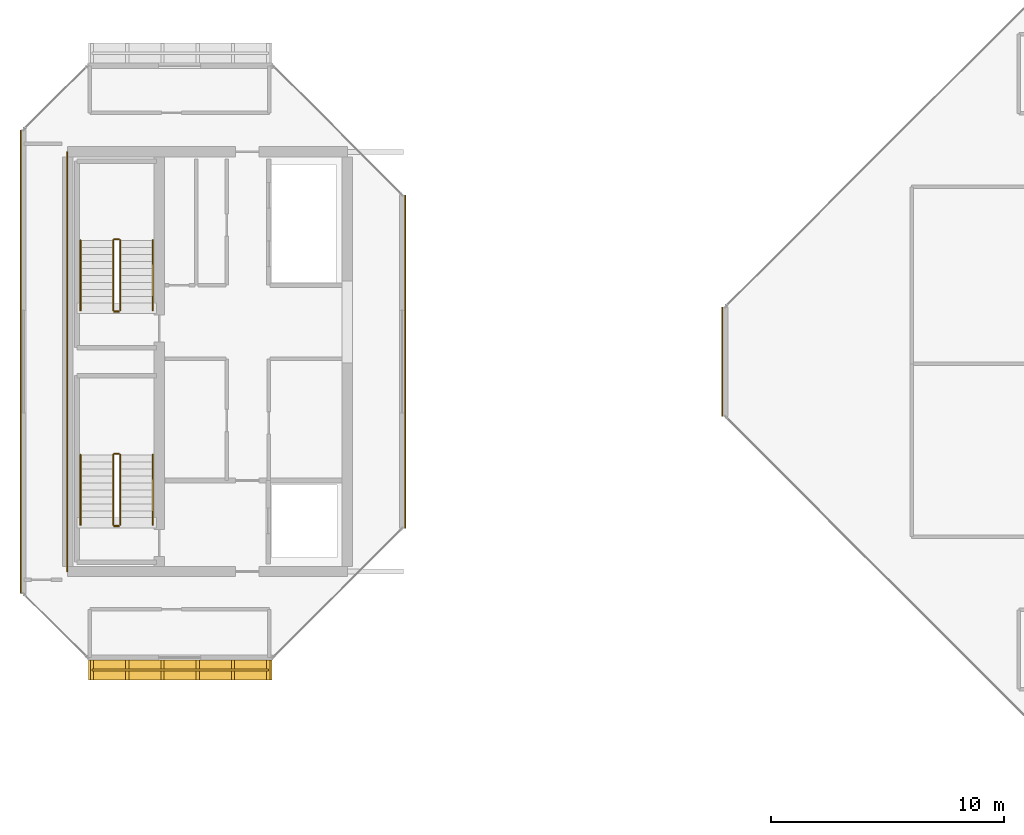
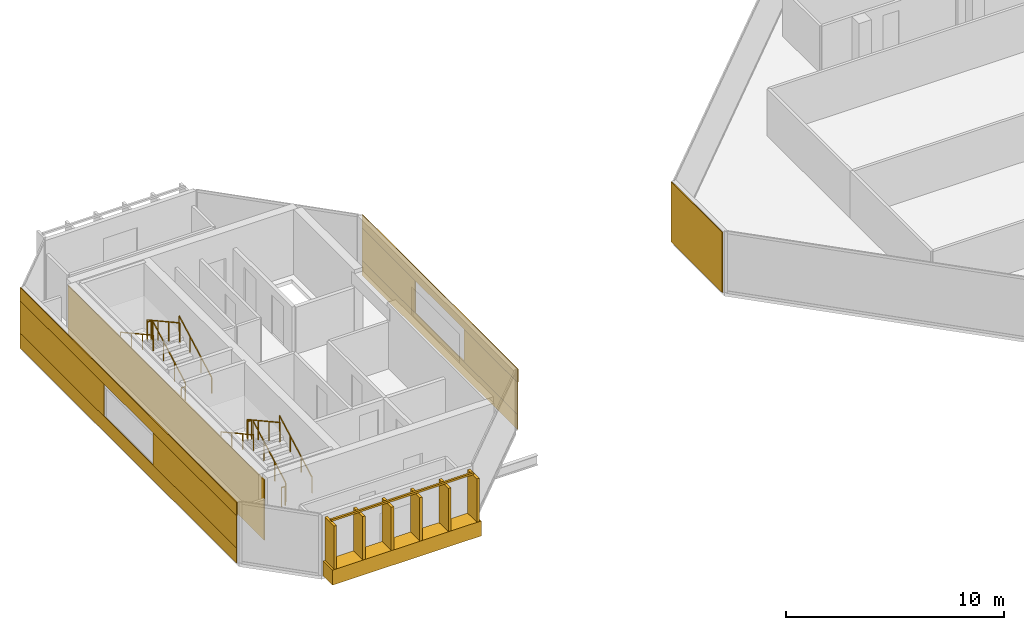
# One storey, part 26 of 28: 13 railings, 11 coverings.
"""IFC4 building model written with IfcOpenShell, lengths in metres."""

from ifc_helpers import new_model, si_unit, direction, frame, origin, origin_2d, place, context, subcontext, project, spatial, rectangle, extrude, material, layer, layer_set, type_object, element, save


model = new_model("IFC4")

# Units and contexts
model_context = context("Model", 3, precision=1e-05, world=origin(), true_north=direction((0.0, 1.0)))
body_context = subcontext(model_context, "Body", "Model", "MODEL_VIEW")
ifc_project = project(units=[si_unit("LENGTHUNIT", "METRE"), si_unit("AREAUNIT", "SQUARE_METRE"), si_unit("VOLUMEUNIT", "CUBIC_METRE"), si_unit("PLANEANGLEUNIT", "RADIAN"), si_unit("MASSUNIT", "GRAM", prefix="KILO")], contexts=[model_context])

# Site, building, storey
site_placement = place(None, origin())
site = spatial("IfcSite", under=ifc_project, at=site_placement, CompositionType="ELEMENT")
building_placement = place(site_placement, origin())
building = spatial("IfcBuilding", under=site, at=building_placement, Name="Tanjung Sevakor Pilgrim Tower", CompositionType="ELEMENT")
storey_placement = place(building_placement, frame((0.0, 0.0, 242.550048828125)))
storey = spatial("IfcBuildingStorey", under=building, at=storey_placement, Name="L68", CompositionType="ELEMENT", Elevation=242.550048828125)

# Coverings
ifc_material_1 = material(Name="Reconstructed Limestone Cladding", Category="masonry")
ifc_layer = layer(ifc_material_1, 0.044921875)
ifc_layer_set = layer_set([ifc_layer], Name="COV-CLAD-LIMESTONE")
covering_type = type_object("IfcCoveringType", Name="COV-CLAD-LIMESTONE", PredefinedType="CLADDING", material=ifc_layer_set)
covering_1_placement = place(storey_placement, frame((28.824951171875, 20.3701171875, 0.009765625), z_axis=(0.0, 0.0, 1.0), x_axis=(1.0, 0.0, 0.0)))
element("IfcCovering", 1, at=covering_1_placement, inside=storey, type_object=covering_type, Name="L68 Warm Limestone Sill Spandrel EW-L68-WEST-1-1", PredefinedType="CLADDING", context=body_context, shape_type="SweptSolid", body=[
    extrude(rectangle(XDim=7.87890625, YDim=0.860107421875, at=origin_2d()), origin(), (0.0, 0.0, 1.0), 0.840087890625),
])
covering_2_placement = place(storey_placement, frame((38.472412109375, 33.60009765625, 0.009765625), z_axis=(0.0, 0.0, 1.0), x_axis=(0.0, 1.0, 0.0)))
element("IfcCovering", 2, at=covering_2_placement, inside=storey, type_object=covering_type, Name="L68 Warm Limestone Sill Spandrel EW-L68-WEST-3-1", PredefinedType="CLADDING", context=body_context, shape_type="SweptSolid", body=[
    extrude(rectangle(XDim=14.228759765625, YDim=0.044921875, at=origin_2d()), origin(), (0.0, 0.0, 1.0), 0.840087890625),
])
covering_3_placement = place(storey_placement, frame((38.472412109375, 33.60009765625, 2.66015625), z_axis=(0.0, 0.0, 1.0), x_axis=(0.0, 1.0, 0.0)))
element("IfcCovering", 3, at=covering_3_placement, inside=storey, type_object=covering_type, Name="L68 Warm Limestone Cornice Spandrel EW-L68-WEST-3", PredefinedType="CLADDING", context=body_context, shape_type="SweptSolid", body=[
    extrude(rectangle(XDim=14.268798828125, YDim=0.044921875, at=origin_2d()), origin(), (0.0, 0.0, 1.0), 0.739990234375),
])
for number, where, z_axis, x_axis, name in (
    (4, (38.472412109375, 28.917724609375, 0.849853515625), (0.0, 0.0, 1.0), (0.0, 1.0, 0.0), "L68 Warm Limestone Pier Panel EW-L68-WEST-3-1"),
    (5, (38.472412109375, 38.2822265625, 0.849853515625), (0.0, 0.0, 1.0), (0.0, 1.0, 0.0), "L68 Warm Limestone Pier Panel EW-L68-WEST-3-2"),
):
    element("IfcCovering", number, at=place(storey_placement, frame(where, z_axis=z_axis, x_axis=x_axis)), inside=storey, type_object=covering_type, Name=name, PredefinedType="CLADDING", context=body_context, shape_type="SweptSolid", body=[
        extrude(rectangle(XDim=4.864501953125, YDim=0.044921875, at=origin_2d()), origin(), (0.0, 0.0, 1.0), 1.81005859375),
    ])
covering_4_placement = place(storey_placement, frame((21.9775390625, 33.60009765625, 0.009765625), z_axis=(0.0, 0.0, 1.0), x_axis=(0.0, -1.0, 0.0)))
element("IfcCovering", 6, at=covering_4_placement, inside=storey, type_object=covering_type, Name="L68 Warm Limestone Sill Spandrel EW-L68-WEST-7-1", PredefinedType="CLADDING", context=body_context, shape_type="SweptSolid", body=[
    extrude(rectangle(XDim=19.828857421875, YDim=0.044921875, at=origin_2d()), origin(), (0.0, 0.0, 1.0), 0.840087890625),
])
covering_5_placement = place(storey_placement, frame((21.9775390625, 33.60009765625, 2.66015625), z_axis=(0.0, 0.0, 1.0), x_axis=(0.0, -1.0, 0.0)))
element("IfcCovering", 7, at=covering_5_placement, inside=storey, type_object=covering_type, Name="L68 Warm Limestone Cornice Spandrel EW-L68-WEST-7", PredefinedType="CLADDING", context=body_context, shape_type="SweptSolid", body=[
    extrude(rectangle(XDim=19.868896484375, YDim=0.044921875, at=origin_2d()), origin(), (0.0, 0.0, 1.0), 0.739990234375),
])
for number, where, z_axis, x_axis, name in (
    (8, (21.9775390625, 39.68212890625, 0.849853515625), (0.0, 0.0, 1.0), (0.0, -1.0, 0.0), "L68 Warm Limestone Pier Panel EW-L68-WEST-7-1"),
    (9, (21.9775390625, 27.517822265625, 0.849853515625), (0.0, 0.0, 1.0), (0.0, -1.0, 0.0), "L68 Warm Limestone Pier Panel EW-L68-WEST-7-2"),
):
    element("IfcCovering", number, at=place(storey_placement, frame(where, z_axis=z_axis, x_axis=x_axis)), inside=storey, type_object=covering_type, Name=name, PredefinedType="CLADDING", context=body_context, shape_type="SweptSolid", body=[
        extrude(rectangle(XDim=7.664306640625, YDim=0.044921875, at=origin_2d()), origin(), (0.0, 0.0, 1.0), 1.81005859375),
    ])
covering_6_placement = place(storey_placement, frame((52.077392578125, 33.60009765625, 0.019775390625), z_axis=(0.0, 0.0, 1.0), x_axis=(0.0, -1.0, 0.0)))
element("IfcCovering", 10, at=covering_6_placement, inside=storey, type_object=covering_type, Name="L68 Warm Limestone Wall Cladding EW-L68-EAST-7", PredefinedType="CLADDING", context=body_context, shape_type="SweptSolid", body=[
    extrude(rectangle(XDim=4.668701171875, YDim=0.044921875, at=origin_2d()), origin(), (0.0, 0.0, 1.0), 3.3701171875),
])
covering_7_placement = place(storey_placement, frame((23.9775390625, 33.60009765625, 0.019775390625), z_axis=(0.0, 0.0, 1.0), x_axis=(1.0, 0.0, 0.0)))
element("IfcCovering", 11, at=covering_7_placement, inside=storey, type_object=covering_type, Name="L68 Expressed Core Warm Limestone Cladding W", PredefinedType="CLADDING", context=body_context, shape_type="SweptSolid", body=[
    extrude(rectangle(XDim=0.044921875, YDim=18.0, at=origin_2d()), origin(), (0.0, 0.0, 1.0), 3.3701171875),
])

# Railings
ifc_material_2 = material(Name="Anodised Bronze Aluminium 6063-T6", Category="aluminium")
railing_type_1 = type_object("IfcRailingType", Name="RL-FIN-SCREEN", PredefinedType="BALUSTRADE", material=ifc_material_2)
railing_1_placement = place(storey_placement, frame((25.045654296875, 20.375, 0.83984375)))
element("IfcRailing", 12, at=railing_1_placement, inside=storey, type_object=railing_type_1, Name="L68 Vertical Bronze-Gold Solar Fin Screen FNSCR-EW-L68-WEST-1-1", PredefinedType="BALUSTRADE", context=body_context, shape_type="SweptSolid", body=[
    extrude(rectangle(XDim=0.105, YDim=0.105), frame((0.0, 0.0, 2.487548828125), z_axis=(1.0, 0.0, 0.0), x_axis=(0.0, 1.0, 0.0)), (0.0, 0.0, 1.0), 7.558837890625),
    extrude(rectangle(XDim=0.14, YDim=0.85), origin(), (0.0, 0.0, 1.0), 2.43505859375),
    extrude(rectangle(XDim=0.14, YDim=0.85), frame((1.51171875, 0.0, 0.0)), (0.0, 0.0, 1.0), 2.43505859375),
    extrude(rectangle(XDim=0.14, YDim=0.85), frame((3.0234375, 0.0, 0.0)), (0.0, 0.0, 1.0), 2.43505859375),
    extrude(rectangle(XDim=0.14, YDim=0.85), frame((4.535400390625, 0.0, 0.0)), (0.0, 0.0, 1.0), 2.43505859375),
    extrude(rectangle(XDim=0.14, YDim=0.85), frame((6.047119140625, 0.0, 0.0)), (0.0, 0.0, 1.0), 2.43505859375),
    extrude(rectangle(XDim=0.14, YDim=0.85), frame((7.558837890625, 0.0, 0.0)), (0.0, 0.0, 1.0), 2.43505859375),
])
ifc_material_3 = material(Name="Steel S355J2", Category="steel")
railing_type_2 = type_object("IfcRailingType", Name="RL-STAIR-GUARD", PredefinedType="GUARDRAIL", material=ifc_material_3)
railing_2_placement = place(storey_placement, frame((26.25, 26.60009765625, 0.1650390625)))
element("IfcRailing", 13, at=railing_2_placement, inside=storey, type_object=railing_type_2, Name="L68 TS-W1 stair guard 1", PredefinedType="GUARDRAIL", context=body_context, shape_type="SweptSolid", body=[
    extrude(rectangle(XDim=0.0479, YDim=0.0479), frame((0.0, 0.0, 1.076171875), z_axis=(0.0, 0.876227952683, 0.48189685093), x_axis=(-1.0, 0.0, 0.0)), (0.0, 0.0, 1.0), 3.423828125),
    extrude(rectangle(XDim=0.042, YDim=0.042), origin(), (0.0, 0.0, 1.0), 1.052001953125),
    extrude(rectangle(XDim=0.042, YDim=0.042), frame((0.0, 1.0, 0.550048828125)), (0.0, 0.0, 1.0), 1.052001953125),
    extrude(rectangle(XDim=0.042, YDim=0.042), frame((0.0, 2.0, 1.099853515625)), (0.0, 0.0, 1.0), 1.052001953125),
    extrude(rectangle(XDim=0.042, YDim=0.042), frame((0.0, 3.0, 1.64990234375)), (0.0, 0.0, 1.0), 1.052001953125),
])
railing_3_placement = place(storey_placement, frame((26.199951171875, 29.64990234375, 1.81494140625)))
element("IfcRailing", 14, at=railing_3_placement, inside=storey, type_object=railing_type_2, Name="L68 TS-W1 stair guard 2", PredefinedType="GUARDRAIL", context=body_context, shape_type="SweptSolid", body=[
    extrude(rectangle(XDim=0.0479, YDim=0.0479), frame((0.0, 0.0, 1.076171875), z_axis=(-1.0, 0.0, 0.0), x_axis=(0.0, -1.0, 0.0)), (0.0, 0.0, 1.0), 0.199951171875),
    extrude(rectangle(XDim=0.042, YDim=0.042), origin(), (0.0, 0.0, 1.0), 1.052001953125),
    extrude(rectangle(XDim=0.042, YDim=0.042), frame((-0.199951171875, 0.0, 0.0)), (0.0, 0.0, 1.0), 1.052001953125),
])
railing_4_placement = place(storey_placement, frame((25.949951171875, 29.60009765625, 1.97998046875)))
element("IfcRailing", 15, at=railing_4_placement, inside=storey, type_object=railing_type_2, Name="L68 TS-W1 stair guard 3", PredefinedType="GUARDRAIL", context=body_context, shape_type="SweptSolid", body=[
    extrude(rectangle(XDim=0.0479, YDim=0.0479), frame((0.0, 0.0, 1.076171875), z_axis=(0.0, -0.876227952683, 0.48189685093), x_axis=(1.0, 0.0, 0.0)), (0.0, 0.0, 1.0), 3.423828125),
    extrude(rectangle(XDim=0.042, YDim=0.042), origin(), (0.0, 0.0, 1.0), 1.052001953125),
    extrude(rectangle(XDim=0.042, YDim=0.042), frame((0.0, -1.0, 0.550048828125)), (0.0, 0.0, 1.0), 1.052001953125),
    extrude(rectangle(XDim=0.042, YDim=0.042), frame((0.0, -2.0, 1.099853515625)), (0.0, 0.0, 1.0), 1.052001953125),
    extrude(rectangle(XDim=0.042, YDim=0.042), frame((0.0, -3.0, 1.64990234375)), (0.0, 0.0, 1.0), 1.052001953125),
])
railing_5_placement = place(storey_placement, frame((26.199951171875, 26.550048828125, 0.0)))
element("IfcRailing", 16, at=railing_5_placement, inside=storey, type_object=railing_type_2, Name="L68 TS-W1 stair guard 4", PredefinedType="GUARDRAIL", context=body_context, shape_type="SweptSolid", body=[
    extrude(rectangle(XDim=0.0479, YDim=0.0479), frame((0.0, 0.0, 1.076171875), z_axis=(-1.0, 0.0, 0.0), x_axis=(0.0, -1.0, 0.0)), (0.0, 0.0, 1.0), 0.199951171875),
    extrude(rectangle(XDim=0.042, YDim=0.042), origin(), (0.0, 0.0, 1.0), 1.052001953125),
    extrude(rectangle(XDim=0.042, YDim=0.042), frame((-0.199951171875, 0.0, 0.0)), (0.0, 0.0, 1.0), 1.052001953125),
])
railing_6_placement = place(storey_placement, frame((26.25, 35.800048828125, 0.1650390625)))
element("IfcRailing", 17, at=railing_6_placement, inside=storey, type_object=railing_type_2, Name="L68 TS-W2 stair guard 1", PredefinedType="GUARDRAIL", context=body_context, shape_type="SweptSolid", body=[
    extrude(rectangle(XDim=0.0479, YDim=0.0479), frame((0.0, 0.0, 1.076171875), z_axis=(0.0, 0.876227952683, 0.48189685093), x_axis=(-1.0, 0.0, 0.0)), (0.0, 0.0, 1.0), 3.423828125),
    extrude(rectangle(XDim=0.042, YDim=0.042), origin(), (0.0, 0.0, 1.0), 1.052001953125),
    extrude(rectangle(XDim=0.042, YDim=0.042), frame((0.0, 1.0, 0.550048828125)), (0.0, 0.0, 1.0), 1.052001953125),
    extrude(rectangle(XDim=0.042, YDim=0.042), frame((0.0, 2.0, 1.099853515625)), (0.0, 0.0, 1.0), 1.052001953125),
    extrude(rectangle(XDim=0.042, YDim=0.042), frame((0.0, 3.0, 1.64990234375)), (0.0, 0.0, 1.0), 1.052001953125),
])
railing_7_placement = place(storey_placement, frame((26.199951171875, 38.85009765625, 1.81494140625)))
element("IfcRailing", 18, at=railing_7_placement, inside=storey, type_object=railing_type_2, Name="L68 TS-W2 stair guard 2", PredefinedType="GUARDRAIL", context=body_context, shape_type="SweptSolid", body=[
    extrude(rectangle(XDim=0.0479, YDim=0.0479), frame((0.0, 0.0, 1.076171875), z_axis=(-1.0, 0.0, 0.0), x_axis=(0.0, -1.0, 0.0)), (0.0, 0.0, 1.0), 0.199951171875),
    extrude(rectangle(XDim=0.042, YDim=0.042), origin(), (0.0, 0.0, 1.0), 1.052001953125),
    extrude(rectangle(XDim=0.042, YDim=0.042), frame((-0.199951171875, 0.0, 0.0)), (0.0, 0.0, 1.0), 1.052001953125),
])
railing_8_placement = place(storey_placement, frame((25.949951171875, 38.800048828125, 1.97998046875)))
element("IfcRailing", 19, at=railing_8_placement, inside=storey, type_object=railing_type_2, Name="L68 TS-W2 stair guard 3", PredefinedType="GUARDRAIL", context=body_context, shape_type="SweptSolid", body=[
    extrude(rectangle(XDim=0.0479, YDim=0.0479), frame((0.0, 0.0, 1.076171875), z_axis=(0.0, -0.876227952683, 0.48189685093), x_axis=(1.0, 0.0, 0.0)), (0.0, 0.0, 1.0), 3.423828125),
    extrude(rectangle(XDim=0.042, YDim=0.042), origin(), (0.0, 0.0, 1.0), 1.052001953125),
    extrude(rectangle(XDim=0.042, YDim=0.042), frame((0.0, -1.0, 0.550048828125)), (0.0, 0.0, 1.0), 1.052001953125),
    extrude(rectangle(XDim=0.042, YDim=0.042), frame((0.0, -2.0, 1.099853515625)), (0.0, 0.0, 1.0), 1.052001953125),
    extrude(rectangle(XDim=0.042, YDim=0.042), frame((0.0, -3.0, 1.64990234375)), (0.0, 0.0, 1.0), 1.052001953125),
])
railing_9_placement = place(storey_placement, frame((26.199951171875, 35.75, 0.0)))
element("IfcRailing", 20, at=railing_9_placement, inside=storey, type_object=railing_type_2, Name="L68 TS-W2 stair guard 4", PredefinedType="GUARDRAIL", context=body_context, shape_type="SweptSolid", body=[
    extrude(rectangle(XDim=0.0479, YDim=0.0479), frame((0.0, 0.0, 1.076171875), z_axis=(-1.0, 0.0, 0.0), x_axis=(0.0, -1.0, 0.0)), (0.0, 0.0, 1.0), 0.199951171875),
    extrude(rectangle(XDim=0.042, YDim=0.042), origin(), (0.0, 0.0, 1.0), 1.052001953125),
    extrude(rectangle(XDim=0.042, YDim=0.042), frame((-0.199951171875, 0.0, 0.0)), (0.0, 0.0, 1.0), 1.052001953125),
])
ifc_material_4 = material(Name="Steel S355J2", Category="steel")
railing_type_3 = type_object("IfcRailingType", Name="RL-STAIR-HAND", PredefinedType="HANDRAIL", material=ifc_material_4)
railing_10_placement = place(storey_placement, frame((27.64990234375, 26.60009765625, 0.1650390625)))
element("IfcRailing", 21, at=railing_10_placement, inside=storey, type_object=railing_type_3, Name="L68 TS-W1 stair handrail 1", PredefinedType="HANDRAIL", context=body_context, shape_type="SweptSolid", body=[
    extrude(rectangle(XDim=0.0479, YDim=0.0479), frame((0.0, 0.0, 0.8759765625), z_axis=(0.0, 0.876227952683, 0.48189685093), x_axis=(-1.0, 0.0, 0.0)), (0.0, 0.0, 1.0), 3.423828125),
    extrude(rectangle(XDim=0.042, YDim=0.042), origin(), (0.0, 0.0, 1.0), 0.851806640625),
    extrude(rectangle(XDim=0.042, YDim=0.042), frame((0.0, 1.0, 0.550048828125)), (0.0, 0.0, 1.0), 0.851806640625),
    extrude(rectangle(XDim=0.042, YDim=0.042), frame((0.0, 2.0, 1.099853515625)), (0.0, 0.0, 1.0), 0.851806640625),
    extrude(rectangle(XDim=0.042, YDim=0.042), frame((0.0, 3.0, 1.64990234375)), (0.0, 0.0, 1.0), 0.851806640625),
])
railing_11_placement = place(storey_placement, frame((24.550048828125, 29.60009765625, 1.97998046875)))
element("IfcRailing", 22, at=railing_11_placement, inside=storey, type_object=railing_type_3, Name="L68 TS-W1 stair handrail 2", PredefinedType="HANDRAIL", context=body_context, shape_type="SweptSolid", body=[
    extrude(rectangle(XDim=0.0479, YDim=0.0479), frame((0.0, 0.0, 0.8759765625), z_axis=(0.0, -0.876227952683, 0.48189685093), x_axis=(1.0, 0.0, 0.0)), (0.0, 0.0, 1.0), 3.423828125),
    extrude(rectangle(XDim=0.042, YDim=0.042), origin(), (0.0, 0.0, 1.0), 0.851806640625),
    extrude(rectangle(XDim=0.042, YDim=0.042), frame((0.0, -1.0, 0.550048828125)), (0.0, 0.0, 1.0), 0.851806640625),
    extrude(rectangle(XDim=0.042, YDim=0.042), frame((0.0, -2.0, 1.099853515625)), (0.0, 0.0, 1.0), 0.851806640625),
    extrude(rectangle(XDim=0.042, YDim=0.042), frame((0.0, -3.0, 1.64990234375)), (0.0, 0.0, 1.0), 0.851806640625),
])
railing_12_placement = place(storey_placement, frame((27.64990234375, 35.800048828125, 0.1650390625)))
element("IfcRailing", 23, at=railing_12_placement, inside=storey, type_object=railing_type_3, Name="L68 TS-W2 stair handrail 1", PredefinedType="HANDRAIL", context=body_context, shape_type="SweptSolid", body=[
    extrude(rectangle(XDim=0.0479, YDim=0.0479), frame((0.0, 0.0, 0.8759765625), z_axis=(0.0, 0.876227952683, 0.48189685093), x_axis=(-1.0, 0.0, 0.0)), (0.0, 0.0, 1.0), 3.423828125),
    extrude(rectangle(XDim=0.042, YDim=0.042), origin(), (0.0, 0.0, 1.0), 0.851806640625),
    extrude(rectangle(XDim=0.042, YDim=0.042), frame((0.0, 1.0, 0.550048828125)), (0.0, 0.0, 1.0), 0.851806640625),
    extrude(rectangle(XDim=0.042, YDim=0.042), frame((0.0, 2.0, 1.099853515625)), (0.0, 0.0, 1.0), 0.851806640625),
    extrude(rectangle(XDim=0.042, YDim=0.042), frame((0.0, 3.0, 1.64990234375)), (0.0, 0.0, 1.0), 0.851806640625),
])
railing_13_placement = place(storey_placement, frame((24.550048828125, 38.800048828125, 1.97998046875)))
element("IfcRailing", 24, at=railing_13_placement, inside=storey, type_object=railing_type_3, Name="L68 TS-W2 stair handrail 2", PredefinedType="HANDRAIL", context=body_context, shape_type="SweptSolid", body=[
    extrude(rectangle(XDim=0.0479, YDim=0.0479), frame((0.0, 0.0, 0.8759765625), z_axis=(0.0, -0.876227952683, 0.48189685093), x_axis=(1.0, 0.0, 0.0)), (0.0, 0.0, 1.0), 3.423828125),
    extrude(rectangle(XDim=0.042, YDim=0.042), origin(), (0.0, 0.0, 1.0), 0.851806640625),
    extrude(rectangle(XDim=0.042, YDim=0.042), frame((0.0, -1.0, 0.550048828125)), (0.0, 0.0, 1.0), 0.851806640625),
    extrude(rectangle(XDim=0.042, YDim=0.042), frame((0.0, -2.0, 1.099853515625)), (0.0, 0.0, 1.0), 0.851806640625),
    extrude(rectangle(XDim=0.042, YDim=0.042), frame((0.0, -3.0, 1.64990234375)), (0.0, 0.0, 1.0), 0.851806640625),
])

save(model, "model.ifc")
